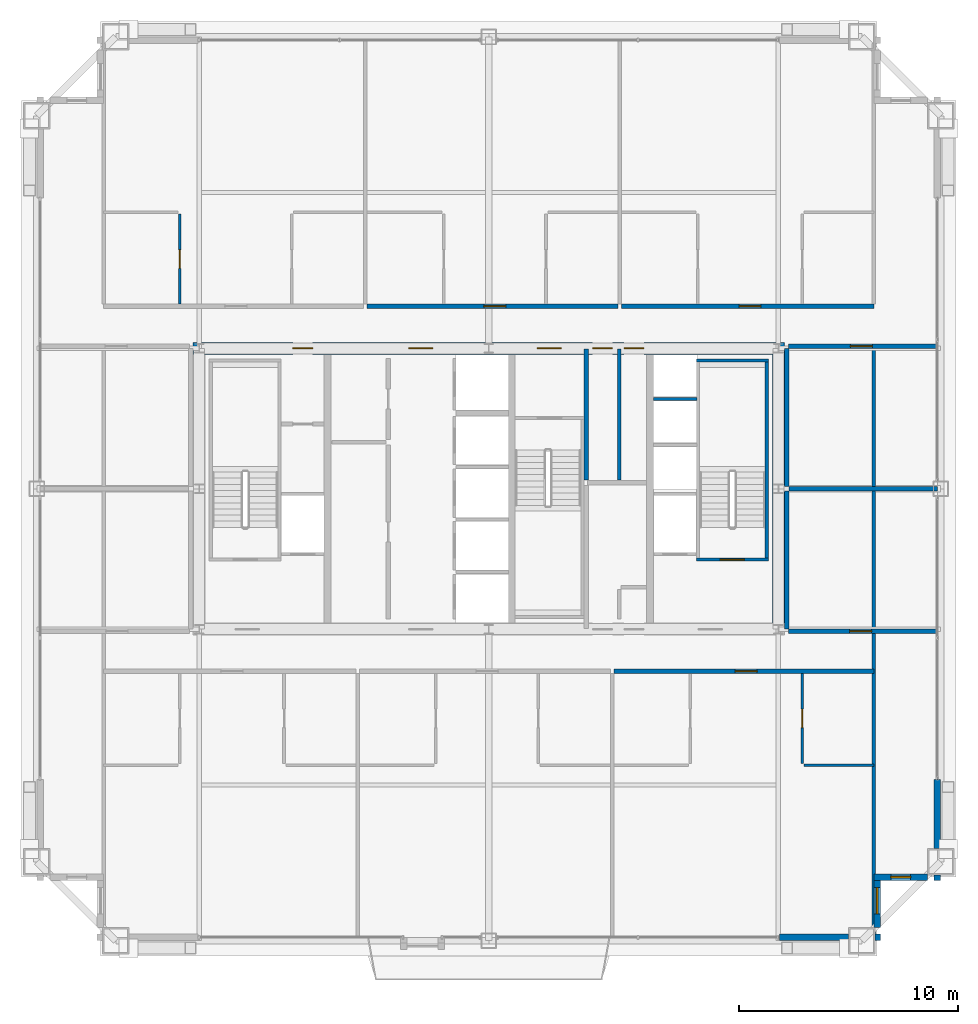
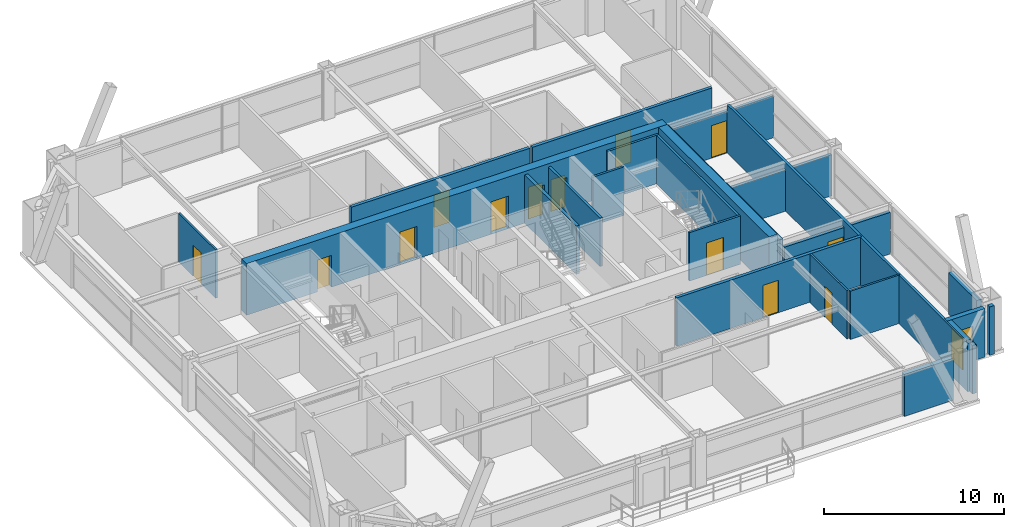
# One storey, part 32 of 34: 26 walls, 13 doors, 2 windows, 15 openings.
"""IFC4 building model written with IfcOpenShell, lengths in metres."""

from ifc_helpers import new_model, si_unit, direction, frame, frame_2d, origin, place, context, subcontext, project, spatial, rectangle, extrude, source, transform, mapped, material, layer, layer_set, type_object, element, fill, save


model = new_model("IFC4")

# Units and contexts
model_context = context("Model", 3, precision=1e-05, world=origin(), true_north=direction((0.0, 1.0)))
body_context = subcontext(model_context, "Body", "Model", "MODEL_VIEW")
ifc_project = project(units=[si_unit("LENGTHUNIT", "METRE"), si_unit("AREAUNIT", "SQUARE_METRE"), si_unit("VOLUMEUNIT", "CUBIC_METRE"), si_unit("PLANEANGLEUNIT", "RADIAN"), si_unit("MASSUNIT", "GRAM", prefix="KILO"), si_unit("THERMODYNAMICTEMPERATUREUNIT", "KELVIN"), si_unit("POWERUNIT", "WATT")], contexts=[model_context])

# Site, building, storey
site_placement = place(None, origin())
site = spatial("IfcSite", under=ifc_project, at=site_placement, CompositionType="ELEMENT")
building_placement = place(site_placement, origin())
building = spatial("IfcBuilding", under=site, at=building_placement, Name="Yuzanri Waterfront Tower", CompositionType="ELEMENT")
storey_placement = place(building_placement, frame((0.0, 0.0, 241.60009765625)))
storey = spatial("IfcBuildingStorey", under=building, at=storey_placement, Name="L64", CompositionType="ELEMENT", Elevation=241.60009765625)

# Wall, opening, door
ifc_material_1 = material(Name="Moisture-Resistant Gypsum Stud Wall", Category="gypsum")
ifc_layer_1 = layer(ifc_material_1, 0.1201171875)
ifc_layer_set_1 = layer_set([ifc_layer_1], Name="Moisture-Resistant Gypsum Stud Wall")
wall_type_1 = type_object("IfcWallType", Name="Bathroom and Kitchen Wet Partition 120", PredefinedType="PARTITIONING", material=ifc_layer_set_1)
wall_1_placement = place(storey_placement, frame((51.280029296875, 13.280029296875, 0.0), z_axis=(0.0, 0.0, 1.0), x_axis=(0.0, 1.0, 0.0)))
wall_1 = element("IfcWall", 1, at=wall_1_placement, inside=storey, type_object=wall_type_1, Name="L64 Partition UW-L64-RS3-SUB-2-W", PredefinedType="PARTITIONING", context=body_context, shape_type="SweptSolid", body=[
    extrude(rectangle(XDim=4.10986328125, YDim=0.1201171875, at=frame_2d((2.054931640625, 0.0))), origin(), (0.0, 0.0, 1.0), 3.27978515625),
])
opening_1_placement = place(wall_1_placement, frame((1.6298828125, 0.0, 0.0)))
opening_1 = element("IfcOpeningElement", 2, at=opening_1_placement, cuts=wall_1, Name="Opening ID-0850", PredefinedType="OPENING", context=body_context, shape_type="SweptSolid", body=[
    extrude(rectangle(XDim=0.85009765625, YDim=2.10009765625, at=frame_2d((0.425048828125, 1.050048828125))), frame((0.0, 0.074951171875, 0.0), z_axis=(0.0, -1.0, 0.0), x_axis=(1.0, 0.0, 0.0)), (0.0, 0.0, 1.0), 0.14990234375),
])
ifc_material_2 = material(Name="Moisture-Resistant Lacquered Timber", Category="wood")
door_type_1 = type_object("IfcDoorType", Name="En-Suite Bathroom and Kitchen Swing Door 850x2100", OperationType="NOTDEFINED", PredefinedType="DOOR", material=ifc_material_2)
shared_shape_1 = source(origin(), body_context, "Body", "SweptSolid", [
    extrude(rectangle(XDim=0.85009765625, YDim=2.10009765625, at=frame_2d((0.425048828125, 1.050048828125))), frame((0.0, 0.02490234375, 0.0), z_axis=(0.0, -1.0, 0.0), x_axis=(1.0, 0.0, 0.0)), (0.0, 0.0, 1.0), 0.050048828125),
])
door_1_placement = place(opening_1_placement, origin())
door_1 = element("IfcDoor", 3, at=door_1_placement, inside=storey, type_object=door_type_1, Name="L64 Suite Interior Room Door", OperationType="SINGLE_SWING_RIGHT", OverallHeight=2.10009765625, OverallWidth=0.85009765625, PredefinedType="DOOR", context=body_context, shape_type="MappedRepresentation", body=[
    mapped(shared_shape_1, transform((0.0, 0.0, 0.0), scale=1.0)),
])
fill(opening_1, door_1)

wall_2_placement = place(storey_placement, frame((22.919921875, 34.2099609375, 0.0), z_axis=(0.0, 0.0, 1.0), x_axis=(0.0, 1.0, 0.0)))
wall_2 = element("IfcWall", 4, at=wall_2_placement, inside=storey, type_object=wall_type_1, Name="L64 Partition UW-L64-RN1-SUB-1-E", PredefinedType="PARTITIONING", context=body_context, shape_type="SweptSolid", body=[
    extrude(rectangle(XDim=4.110107421875, YDim=0.1201171875, at=frame_2d((2.05517578125, 0.0))), origin(), (0.0, 0.0, 1.0), 3.27978515625),
])
opening_2_placement = place(wall_2_placement, frame((1.6298828125, 0.0, 0.0)))
opening_2 = element("IfcOpeningElement", 5, at=opening_2_placement, cuts=wall_2, Name="Opening ID-0850", PredefinedType="OPENING", context=body_context, shape_type="SweptSolid", body=[
    extrude(rectangle(XDim=0.85009765625, YDim=2.10009765625, at=frame_2d((0.425048828125, 1.050048828125))), frame((0.0, 0.074951171875, 0.0), z_axis=(0.0, -1.0, 0.0), x_axis=(1.0, 0.0, 0.0)), (0.0, 0.0, 1.0), 0.14990234375),
])
door_2_placement = place(opening_2_placement, origin())
door_2 = element("IfcDoor", 6, at=door_2_placement, inside=storey, type_object=door_type_1, Name="L64 Suite Interior Room Door", OperationType="SINGLE_SWING_RIGHT", OverallHeight=2.10009765625, OverallWidth=0.85009765625, PredefinedType="DOOR", context=body_context, shape_type="MappedRepresentation", body=[
    mapped(shared_shape_1, transform((0.0, 0.0, 0.0), scale=1.0)),
])
fill(opening_2, door_2)

# Wall, opening, window
ifc_material_3 = material(Name="Honed Chongqing Dark Basalt Stone", Category="masonry")
ifc_layer_2 = layer(ifc_material_3, 0.300048828125)
ifc_layer_set_2 = layer_set([ifc_layer_2], Name="Honed Chongqing Dark Basalt Stone")
wall_type_2 = type_object("IfcWallType", Name="Bronze Rainscreen Insulated Spandrel Portal Wall 300", PredefinedType="SOLIDWALL", material=ifc_layer_set_2)
wall_3_placement = place(storey_placement, frame((54.550048828125, 8.10009765625, 0.0), z_axis=(0.0, 0.0, 1.0), x_axis=(1.0, 0.0, 0.0)))
wall_3 = element("IfcWall", 7, at=wall_3_placement, inside=storey, type_object=wall_type_2, Name="L64 Notched Corner Masonry Wall SE-X", PredefinedType="SOLIDWALL", context=body_context, shape_type="SweptSolid", body=[
    extrude(rectangle(XDim=2.449951171875, YDim=0.300048828125, at=frame_2d((1.22509765625, 0.0))), origin(), (0.0, 0.0, 1.0), 3.27978515625),
])
opening_3_placement = place(wall_3_placement, frame((0.77490234375, 0.0, 0.85009765625)))
opening_3 = element("IfcOpeningElement", 8, at=opening_3_placement, cuts=wall_3, Name="Opening WN-05", PredefinedType="OPENING", context=body_context, shape_type="SweptSolid", body=[
    extrude(rectangle(XDim=0.89990234375, YDim=1.5, at=frame_2d((0.449951171875, 0.75))), frame((0.0, 0.1650390625, 0.0), z_axis=(0.0, -1.0, 0.0), x_axis=(1.0, 0.0, 0.0)), (0.0, 0.0, 1.0), 0.329833984375),
])
ifc_material_4 = material(Name="Double-Silver Low-E Insulated Glass", Category="glass")
window_type_1 = type_object("IfcWindowType", Name="Anodized Bronze Service and Stairwell Smoke-Vent Window 900x1500", PartitioningType="SINGLE_PANEL", PredefinedType="WINDOW", material=ifc_material_4)
shared_shape_2 = source(origin(), body_context, "Body", "SweptSolid", [
    extrude(rectangle(XDim=0.89990234375, YDim=1.5, at=frame_2d((0.449951171875, 0.75))), frame((0.0, 0.030029296875, 0.0), z_axis=(0.0, -1.0, 0.0), x_axis=(1.0, 0.0, 0.0)), (0.0, 0.0, 1.0), 0.06005859375),
])
window_1_placement = place(opening_3_placement, origin())
window_1 = element("IfcWindow", 9, at=window_1_placement, inside=storey, type_object=window_type_1, Name="L64 Notched Corner Window SE-X", OverallHeight=1.5, OverallWidth=0.89990234375, PartitioningType="SINGLE_PANEL", PredefinedType="WINDOW", context=body_context, shape_type="MappedRepresentation", body=[
    mapped(shared_shape_2, transform((0.0, 0.0, 0.0), scale=1.0)),
])
fill(opening_3, window_1)

wall_4_placement = place(storey_placement, frame((54.699951171875, 5.800048828125, 0.0), z_axis=(0.0, 0.0, 1.0), x_axis=(0.0, 1.0, 0.0)))
wall_4 = element("IfcWall", 10, at=wall_4_placement, inside=storey, type_object=wall_type_2, Name="L64 Notched Corner Masonry Wall SE-Y", PredefinedType="SOLIDWALL", context=body_context, shape_type="SweptSolid", body=[
    extrude(rectangle(XDim=2.449951171875, YDim=0.300048828125, at=frame_2d((1.22509765625, 0.0))), origin(), (0.0, 0.0, 1.0), 3.27978515625),
])
opening_4_placement = place(wall_4_placement, frame((0.625, 0.0, 0.85009765625)))
opening_4 = element("IfcOpeningElement", 11, at=opening_4_placement, cuts=wall_4, Name="Opening WN-02", PredefinedType="OPENING", context=body_context, shape_type="SweptSolid", body=[
    extrude(rectangle(XDim=1.199951171875, YDim=2.10009765625, at=frame_2d((0.60009765625, 1.050048828125))), frame((0.0, 0.1650390625, 0.0), z_axis=(0.0, -1.0, 0.0), x_axis=(1.0, 0.0, 0.0)), (0.0, 0.0, 1.0), 0.329833984375),
])
ifc_material_5 = material(Name="Double-Silver Low-E Insulated Glass", Category="glass")
window_type_2 = type_object("IfcWindowType", Name="Anodized Bronze Notched Corner Deep-Set Slot Window 1200x2100", PartitioningType="SINGLE_PANEL", PredefinedType="WINDOW", material=ifc_material_5)
shared_shape_3 = source(origin(), body_context, "Body", "SweptSolid", [
    extrude(rectangle(XDim=1.199951171875, YDim=2.10009765625, at=frame_2d((0.60009765625, 1.050048828125))), frame((0.0, 0.030029296875, 0.0), z_axis=(0.0, -1.0, 0.0), x_axis=(1.0, 0.0, 0.0)), (0.0, 0.0, 1.0), 0.06005859375),
])
window_2_placement = place(opening_4_placement, origin())
window_2 = element("IfcWindow", 12, at=window_2_placement, inside=storey, type_object=window_type_2, Name="L64 Notched Corner Window SE-Y", OverallHeight=2.10009765625, OverallWidth=1.199951171875, PartitioningType="SINGLE_PANEL", PredefinedType="WINDOW", context=body_context, shape_type="MappedRepresentation", body=[
    mapped(shared_shape_3, transform((0.0, 0.0, 0.0), scale=1.0)),
])
fill(opening_4, window_2)

# Wall, openings, doors
ifc_material_6 = material(Name="Concrete C50", Category="concrete")
ifc_layer_3 = layer(ifc_material_6, 0.550048828125)
ifc_layer_set_3 = layer_set([ifc_layer_3], Name="Concrete C50")
wall_type_3 = type_object("IfcWallType", Name="Concrete C50 Upper-Mid Zone Core Shear Wall 550", PredefinedType="SHEAR", material=ifc_layer_set_3)
wall_5_placement = place(storey_placement, frame((23.52490234375, 32.199951171875, 0.0), z_axis=(0.0, 0.0, 1.0), x_axis=(1.0, 0.0, 0.0)))
wall_5 = element("IfcWall", 13, at=wall_5_placement, inside=storey, type_object=wall_type_3, Name="L64 Core North Shear Wall", PredefinedType="SHEAR", context=body_context, shape_type="SweptSolid", body=[
    extrude(rectangle(XDim=26.9501953125, YDim=0.550048828125, at=frame_2d((13.47509765625, 0.0))), origin(), (0.0, 0.0, 1.0), 3.5),
])
opening_5_placement = place(wall_5_placement, frame((4.544921875, 0.0, 0.0)))
opening_5 = element("IfcOpeningElement", 14, at=opening_5_placement, cuts=wall_5, Name="Opening FD-0900", PredefinedType="OPENING", context=body_context, shape_type="SweptSolid", body=[
    extrude(rectangle(XDim=0.89990234375, YDim=2.14990234375, at=frame_2d((0.449951171875, 1.074951171875))), frame((0.0, 0.2900390625, 0.0), z_axis=(0.0, -1.0, 0.0), x_axis=(1.0, 0.0, 0.0)), (0.0, 0.0, 1.0), 0.579833984375),
])
opening_6_placement = place(wall_5_placement, frame((9.824951171875, 0.0, 0.0)))
opening_6 = element("IfcOpeningElement", 15, at=opening_6_placement, cuts=wall_5, Name="Opening FD-1100", PredefinedType="OPENING", context=body_context, shape_type="SweptSolid", body=[
    extrude(rectangle(XDim=1.10009765625, YDim=2.199951171875, at=frame_2d((0.550048828125, 1.10009765625))), frame((0.0, 0.2900390625, 0.0), z_axis=(0.0, -1.0, 0.0), x_axis=(1.0, 0.0, 0.0)), (0.0, 0.0, 1.0), 0.579833984375),
])
opening_7_placement = place(wall_5_placement, frame((15.675048828125, 0.0, 0.0)))
opening_7 = element("IfcOpeningElement", 16, at=opening_7_placement, cuts=wall_5, Name="Opening FD-1100", PredefinedType="OPENING", context=body_context, shape_type="SweptSolid", body=[
    extrude(rectangle(XDim=1.10009765625, YDim=2.199951171875, at=frame_2d((0.550048828125, 1.10009765625))), frame((0.0, 0.2900390625, 0.0), z_axis=(0.0, -1.0, 0.0), x_axis=(1.0, 0.0, 0.0)), (0.0, 0.0, 1.0), 0.579833984375),
])
opening_8_placement = place(wall_5_placement, frame((18.205078125, 0.0, 0.0)))
opening_8 = element("IfcOpeningElement", 17, at=opening_8_placement, cuts=wall_5, Name="Opening FD-0900", PredefinedType="OPENING", context=body_context, shape_type="SweptSolid", body=[
    extrude(rectangle(XDim=0.89990234375, YDim=2.14990234375, at=frame_2d((0.449951171875, 1.074951171875))), frame((0.0, 0.2900390625, 0.0), z_axis=(0.0, -1.0, 0.0), x_axis=(1.0, 0.0, 0.0)), (0.0, 0.0, 1.0), 0.579833984375),
])
opening_9_placement = place(wall_5_placement, frame((19.64501953125, 0.0, 0.0)))
opening_9 = element("IfcOpeningElement", 18, at=opening_9_placement, cuts=wall_5, Name="Opening FD-0900", PredefinedType="OPENING", context=body_context, shape_type="SweptSolid", body=[
    extrude(rectangle(XDim=0.89990234375, YDim=2.14990234375, at=frame_2d((0.449951171875, 1.074951171875))), frame((0.0, 0.2900390625, 0.0), z_axis=(0.0, -1.0, 0.0), x_axis=(1.0, 0.0, 0.0)), (0.0, 0.0, 1.0), 0.579833984375),
])
ifc_material_7 = material(Name="Painted Galvanized Fire Steel", Category="steel")
door_type_2 = type_object("IfcDoorType", Name="Smoke-Proof Stair and Lobby Fire Door 1100x2200", OperationType="NOTDEFINED", PredefinedType="DOOR", material=ifc_material_7)
shared_shape_4 = source(origin(), body_context, "Body", "SweptSolid", [
    extrude(rectangle(XDim=1.10009765625, YDim=2.199951171875, at=frame_2d((0.550048828125, 1.10009765625))), frame((0.0, 0.02490234375, 0.0), z_axis=(0.0, -1.0, 0.0), x_axis=(1.0, 0.0, 0.0)), (0.0, 0.0, 1.0), 0.050048828125),
])
door_3_placement = place(opening_6_placement, origin())
door_3 = element("IfcDoor", 19, at=door_3_placement, inside=storey, type_object=door_type_2, Name="L64 Central Lift Lobby North Door", OperationType="SINGLE_SWING_LEFT", OverallHeight=2.199951171875, OverallWidth=1.10009765625, PredefinedType="DOOR", context=body_context, shape_type="MappedRepresentation", body=[
    mapped(shared_shape_4, transform((0.0, 0.0, 0.0), scale=1.0)),
])
fill(opening_6, door_3)
door_4_placement = place(opening_7_placement, origin())
door_4 = element("IfcDoor", 20, at=door_4_placement, inside=storey, type_object=door_type_2, Name="L64 North Stair Lobby Door", OperationType="SINGLE_SWING_RIGHT", OverallHeight=2.199951171875, OverallWidth=1.10009765625, PredefinedType="DOOR", context=body_context, shape_type="MappedRepresentation", body=[
    mapped(shared_shape_4, transform((0.0, 0.0, 0.0), scale=1.0)),
])
fill(opening_7, door_4)
ifc_material_8 = material(Name="Painted Galvanized Fire Steel", Category="steel")
door_type_3 = type_object("IfcDoorType", Name="Riser and Service Room Fire Door 900x2150", OperationType="NOTDEFINED", PredefinedType="DOOR", material=ifc_material_8)
shared_shape_5 = source(origin(), body_context, "Body", "SweptSolid", [
    extrude(rectangle(XDim=0.89990234375, YDim=2.14990234375, at=frame_2d((0.449951171875, 1.074951171875))), frame((0.0, 0.02490234375, 0.0), z_axis=(0.0, -1.0, 0.0), x_axis=(1.0, 0.0, 0.0)), (0.0, 0.0, 1.0), 0.050048828125),
])
door_5_placement = place(opening_5_placement, origin())
door_5 = element("IfcDoor", 21, at=door_5_placement, inside=storey, type_object=door_type_3, Name="L64 Telecom Riser Door", OperationType="SINGLE_SWING_RIGHT", OverallHeight=2.14990234375, OverallWidth=0.89990234375, PredefinedType="DOOR", context=body_context, shape_type="MappedRepresentation", body=[
    mapped(shared_shape_5, transform((0.0, 0.0, 0.0), scale=1.0)),
])
fill(opening_5, door_5)
door_6_placement = place(opening_8_placement, origin())
door_6 = element("IfcDoor", 22, at=door_6_placement, inside=storey, type_object=door_type_3, Name="L64 Common Store Room", OperationType="SINGLE_SWING_RIGHT", OverallHeight=2.14990234375, OverallWidth=0.89990234375, PredefinedType="DOOR", context=body_context, shape_type="MappedRepresentation", body=[
    mapped(shared_shape_5, transform((0.0, 0.0, 0.0), scale=1.0)),
])
fill(opening_8, door_6)
door_7_placement = place(opening_9_placement, origin())
door_7 = element("IfcDoor", 23, at=door_7_placement, inside=storey, type_object=door_type_3, Name="L64 Linen Store Room", OperationType="SINGLE_SWING_LEFT", OverallHeight=2.14990234375, OverallWidth=0.89990234375, PredefinedType="DOOR", context=body_context, shape_type="MappedRepresentation", body=[
    mapped(shared_shape_5, transform((0.0, 0.0, 0.0), scale=1.0)),
])
fill(opening_9, door_7)

# Wall, opening, door
ifc_material_9 = material(Name="Concrete C40", Category="concrete")
ifc_layer_4 = layer(ifc_material_9, 0.139892578125)
ifc_layer_set_4 = layer_set([ifc_layer_4], Name="Concrete C40")
wall_type_4 = type_object("IfcWallType", Name="Core Stair Liner and Hoistway Shaft Wall 140", PredefinedType="SOLIDWALL", material=ifc_layer_set_4)
wall_6_placement = place(storey_placement, frame((46.4599609375, 22.570068359375, 0.0), z_axis=(0.0, 0.0, 1.0), x_axis=(1.0, 0.0, 0.0)))
wall_6 = element("IfcWall", 24, at=wall_6_placement, inside=storey, type_object=wall_type_4, Name="L64 Shaft Wall STW-L64-ST-02-S", PredefinedType="SOLIDWALL", context=body_context, shape_type="SweptSolid", body=[
    extrude(rectangle(XDim=3.280029296875, YDim=0.139892578125, at=frame_2d((1.64013671875, 0.0))), origin(), (0.0, 0.0, 1.0), 3.27978515625),
])
opening_10_placement = place(wall_6_placement, frame((1.090087890625, 0.0, 0.0)))
opening_10 = element("IfcOpeningElement", 25, at=opening_10_placement, cuts=wall_6, Name="Opening FD-1100", PredefinedType="OPENING", context=body_context, shape_type="SweptSolid", body=[
    extrude(rectangle(XDim=1.10009765625, YDim=2.199951171875, at=frame_2d((0.550048828125, 1.10009765625))), frame((0.0, 0.0849609375, 0.0), z_axis=(0.0, -1.0, 0.0), x_axis=(1.0, 0.0, 0.0)), (0.0, 0.0, 1.0), 0.169677734375),
])
door_8_placement = place(opening_10_placement, origin())
door_8 = element("IfcDoor", 26, at=door_8_placement, inside=storey, type_object=door_type_2, Name="L64 Stair ST-02 Fire Door", OperationType="SINGLE_SWING_LEFT", OverallHeight=2.199951171875, OverallWidth=1.10009765625, PredefinedType="DOOR", context=body_context, shape_type="MappedRepresentation", body=[
    mapped(shared_shape_4, transform((0.0, 0.0, 0.0), scale=1.0)),
])
fill(opening_10, door_8)

ifc_material_10 = material(Name="Autoclaved Aerated Concrete Blockwork", Category="masonry")
ifc_layer_5 = layer(ifc_material_10, 0.199951171875)
ifc_layer_set_5 = layer_set([ifc_layer_5], Name="Autoclaved Aerated Concrete Blockwork")
wall_type_5 = type_object("IfcWallType", Name="Corridor and Unit Party Fire Wall 200", PredefinedType="PARTITIONING", material=ifc_layer_set_5)
wall_7_placement = place(storey_placement, frame((42.698974609375, 17.489990234375, 0.0), z_axis=(0.0, 0.0, 1.0), x_axis=(1.0, 0.0, 0.0)))
wall_7 = element("IfcWall", 27, at=wall_7_placement, inside=storey, type_object=wall_type_5, Name="L64 Partition UW-L64-RS3-CN", PredefinedType="PARTITIONING", context=body_context, shape_type="SweptSolid", body=[
    extrude(rectangle(XDim=11.861083984375, YDim=0.199951171875, at=frame_2d((5.9306640625, 0.0))), origin(), (0.0, 0.0, 1.0), 3.27978515625),
])
opening_11_placement = place(wall_7_placement, frame((5.531005859375, 0.0, 0.0)))
opening_11 = element("IfcOpeningElement", 28, at=opening_11_placement, cuts=wall_7, Name="Opening FD-1000", PredefinedType="OPENING", context=body_context, shape_type="SweptSolid", body=[
    extrude(rectangle(XDim=1.0, YDim=2.199951171875, at=frame_2d((0.5, 1.10009765625))), frame((0.0, 0.11474609375, 0.0), z_axis=(0.0, -1.0, 0.0), x_axis=(1.0, 0.0, 0.0)), (0.0, 0.0, 1.0), 0.229736328125),
])
ifc_material_11 = material(Name="Engineered Oak Fire-Rated Timber", Category="wood")
door_type_4 = type_object("IfcDoorType", Name="Guestroom and Apartment Entrance Fire Door 1000x2200", OperationType="NOTDEFINED", PredefinedType="DOOR", material=ifc_material_11)
shared_shape_6 = source(origin(), body_context, "Body", "SweptSolid", [
    extrude(rectangle(XDim=1.0, YDim=2.199951171875, at=frame_2d((0.5, 1.10009765625))), frame((0.0, 0.02490234375, 0.0), z_axis=(0.0, -1.0, 0.0), x_axis=(1.0, 0.0, 0.0)), (0.0, 0.0, 1.0), 0.050048828125),
])
door_9_placement = place(opening_11_placement, origin())
door_9 = element("IfcDoor", 29, at=door_9_placement, inside=storey, type_object=door_type_4, Name="L64 Studio Living and Sleeping Room Entrance Door", OperationType="SINGLE_SWING_RIGHT", OverallHeight=2.199951171875, OverallWidth=1.0, PredefinedType="DOOR", context=body_context, shape_type="MappedRepresentation", body=[
    mapped(shared_shape_6, transform((0.0, 0.0, 0.0), scale=1.0)),
])
fill(opening_11, door_9)

wall_8_placement = place(storey_placement, frame((31.4609375, 34.110107421875, 0.0), z_axis=(0.0, 0.0, 1.0), x_axis=(1.0, 0.0, 0.0)))
wall_8 = element("IfcWall", 30, at=wall_8_placement, inside=storey, type_object=wall_type_5, Name="L64 Partition UW-L64-RN2-CS", PredefinedType="PARTITIONING", context=body_context, shape_type="SweptSolid", body=[
    extrude(rectangle(XDim=11.428955078125, YDim=0.199951171875, at=frame_2d((5.71435546875, 0.0))), origin(), (0.0, 0.0, 1.0), 3.27978515625),
])
opening_12_placement = place(wall_8_placement, frame((5.31396484375, 0.0, 0.0)))
opening_12 = element("IfcOpeningElement", 31, at=opening_12_placement, cuts=wall_8, Name="Opening FD-1000", PredefinedType="OPENING", context=body_context, shape_type="SweptSolid", body=[
    extrude(rectangle(XDim=1.0, YDim=2.199951171875, at=frame_2d((0.5, 1.10009765625))), frame((0.0, 0.11474609375, 0.0), z_axis=(0.0, -1.0, 0.0), x_axis=(1.0, 0.0, 0.0)), (0.0, 0.0, 1.0), 0.229736328125),
])
door_10_placement = place(opening_12_placement, origin())
door_10 = element("IfcDoor", 32, at=door_10_placement, inside=storey, type_object=door_type_4, Name="L64 Studio Living and Sleeping Room Entrance Door", OperationType="SINGLE_SWING_RIGHT", OverallHeight=2.199951171875, OverallWidth=1.0, PredefinedType="DOOR", context=body_context, shape_type="MappedRepresentation", body=[
    mapped(shared_shape_6, transform((0.0, 0.0, 0.0), scale=1.0)),
])
fill(opening_12, door_10)

wall_9_placement = place(storey_placement, frame((43.050048828125, 34.110107421875, 0.0), z_axis=(0.0, 0.0, 1.0), x_axis=(1.0, 0.0, 0.0)))
wall_9 = element("IfcWall", 33, at=wall_9_placement, inside=storey, type_object=wall_type_5, Name="L64 Partition UW-L64-RN3-CS", PredefinedType="PARTITIONING", context=body_context, shape_type="SweptSolid", body=[
    extrude(rectangle(XDim=11.510009765625, YDim=0.199951171875, at=frame_2d((5.7548828125, 0.0))), origin(), (0.0, 0.0, 1.0), 3.27978515625),
])
opening_13_placement = place(wall_9_placement, frame((5.35498046875, 0.0, 0.0)))
opening_13 = element("IfcOpeningElement", 34, at=opening_13_placement, cuts=wall_9, Name="Opening FD-1000", PredefinedType="OPENING", context=body_context, shape_type="SweptSolid", body=[
    extrude(rectangle(XDim=1.0, YDim=2.199951171875, at=frame_2d((0.5, 1.10009765625))), frame((0.0, 0.11474609375, 0.0), z_axis=(0.0, -1.0, 0.0), x_axis=(1.0, 0.0, 0.0)), (0.0, 0.0, 1.0), 0.229736328125),
])
door_11_placement = place(opening_13_placement, origin())
door_11 = element("IfcDoor", 35, at=door_11_placement, inside=storey, type_object=door_type_4, Name="L64 Studio Living and Sleeping Room Entrance Door", OperationType="SINGLE_SWING_LEFT", OverallHeight=2.199951171875, OverallWidth=1.0, PredefinedType="DOOR", context=body_context, shape_type="MappedRepresentation", body=[
    mapped(shared_shape_6, transform((0.0, 0.0, 0.0), scale=1.0)),
])
fill(opening_13, door_11)

wall_10_placement = place(storey_placement, frame((50.64990234375, 19.31005859375, 0.0), z_axis=(0.0, 0.0, 1.0), x_axis=(1.0, 0.0, 0.0)))
wall_10 = element("IfcWall", 36, at=wall_10_placement, inside=storey, type_object=wall_type_5, Name="L64 Partition UW-L64-038-CS", PredefinedType="PARTITIONING", context=body_context, shape_type="SweptSolid", body=[
    extrude(rectangle(XDim=6.800048828125, YDim=0.199951171875, at=frame_2d((3.39990234375, 0.0))), origin(), (0.0, 0.0, 1.0), 2.824951171875),
])
opening_14_placement = place(wall_10_placement, frame((2.800048828125, 0.0, 0.0)))
opening_14 = element("IfcOpeningElement", 37, at=opening_14_placement, cuts=wall_10, Name="Opening FD-1000", PredefinedType="OPENING", context=body_context, shape_type="SweptSolid", body=[
    extrude(rectangle(XDim=1.0, YDim=2.199951171875, at=frame_2d((0.5, 1.10009765625))), frame((0.0, 0.11474609375, 0.0), z_axis=(0.0, -1.0, 0.0), x_axis=(1.0, 0.0, 0.0)), (0.0, 0.0, 1.0), 0.229736328125),
])
door_12_placement = place(opening_14_placement, origin())
door_12 = element("IfcDoor", 38, at=door_12_placement, inside=storey, type_object=door_type_4, Name="L64 Residents E Fitness Gymnasium Entrance Door", OperationType="SINGLE_SWING_RIGHT", OverallHeight=2.199951171875, OverallWidth=1.0, PredefinedType="DOOR", context=body_context, shape_type="MappedRepresentation", body=[
    mapped(shared_shape_6, transform((0.0, 0.0, 0.0), scale=1.0)),
])
fill(opening_14, door_12)

wall_11_placement = place(storey_placement, frame((50.64990234375, 32.2900390625, 0.0), z_axis=(0.0, 0.0, 1.0), x_axis=(1.0, 0.0, 0.0)))
wall_11 = element("IfcWall", 39, at=wall_11_placement, inside=storey, type_object=wall_type_5, Name="L64 Partition UW-L64-039-CN", PredefinedType="PARTITIONING", context=body_context, shape_type="SweptSolid", body=[
    extrude(rectangle(XDim=6.800048828125, YDim=0.199951171875, at=frame_2d((3.39990234375, 0.0))), origin(), (0.0, 0.0, 1.0), 2.824951171875),
])
opening_15_placement = place(wall_11_placement, frame((2.8349609375, 0.0, 0.0)))
opening_15 = element("IfcOpeningElement", 40, at=opening_15_placement, cuts=wall_11, Name="Opening FD-1000", PredefinedType="OPENING", context=body_context, shape_type="SweptSolid", body=[
    extrude(rectangle(XDim=1.0, YDim=2.199951171875, at=frame_2d((0.5, 1.10009765625))), frame((0.0, 0.11474609375, 0.0), z_axis=(0.0, -1.0, 0.0), x_axis=(1.0, 0.0, 0.0)), (0.0, 0.0, 1.0), 0.229736328125),
])
door_13_placement = place(opening_15_placement, origin())
door_13 = element("IfcDoor", 41, at=door_13_placement, inside=storey, type_object=door_type_4, Name="L64 Residents E Yoga Gym Studio Entrance Door", OperationType="SINGLE_SWING_LEFT", OverallHeight=2.199951171875, OverallWidth=1.0, PredefinedType="DOOR", context=body_context, shape_type="MappedRepresentation", body=[
    mapped(shared_shape_6, transform((0.0, 0.0, 0.0), scale=1.0)),
])
fill(opening_15, door_13)

# Walls
shared_shape_7 = source(origin(), body_context, "Body", "SweptSolid", [
    extrude(rectangle(XDim=12.25, YDim=0.550048828125, at=frame_2d((6.125, 0.0))), origin(), (0.0, 0.0, 1.0), 3.5),
])
wall_12_placement = place(storey_placement, frame((50.199951171875, 19.675048828125, 0.0), z_axis=(0.0, 0.0, 1.0), x_axis=(0.0, 1.0, 0.0)))
element("IfcWall", 42, at=wall_12_placement, inside=storey, type_object=wall_type_3, Name="L64 Core East Shear Wall", PredefinedType="SHEAR", context=body_context, shape_type="MappedRepresentation", body=[
    mapped(shared_shape_7, transform((0.0, 0.0, 0.0), scale=1.0)),
])
shared_shape_8 = source(origin(), body_context, "Body", "SweptSolid", [
    extrude(rectangle(XDim=0.25, YDim=0.300048828125, at=frame_2d((0.125, 0.0))), origin(), (0.0, 0.0, 1.0), 3.27978515625),
])
for number, where, z_axis, x_axis, name in (
    (43, (54.60009765625, 5.35009765625, 0.0), (0.0, 0.0, 1.0), (1.0, 0.0, 0.0), "L64 Corner Column Shoulder Return CSE"),
    (44, (57.449951171875, 7.949951171875, 0.0), (0.0, 0.0, 1.0), (0.0, 1.0, 0.0), "L64 Corner Column Shoulder Return CES"),
):
    element("IfcWall", number, at=place(storey_placement, frame(where, z_axis=z_axis, x_axis=x_axis)), inside=storey, type_object=wall_type_2, Name=name, PredefinedType="SOLIDWALL", context=body_context, shape_type="MappedRepresentation", body=[
        mapped(shared_shape_8, transform((0.0, 0.0, 0.0), scale=1.0)),
    ])
shared_shape_9 = source(origin(), body_context, "Body", "SweptSolid", [
    extrude(rectangle(XDim=3.14990234375, YDim=0.300048828125, at=frame_2d((1.574951171875, 0.0))), origin(), (0.0, 0.0, 1.0), 2.8349609375),
])
wall_13_placement = place(storey_placement, frame((50.25, 5.35009765625, 0.0), z_axis=(0.0, 0.0, 1.0), x_axis=(1.0, 0.0, 0.0)))
element("IfcWall", 45, at=wall_13_placement, inside=storey, type_object=wall_type_2, Name="L64 S Right Braced Masonry Shoulder", PredefinedType="SOLIDWALL", context=body_context, shape_type="MappedRepresentation", body=[
    mapped(shared_shape_9, transform((0.0, 0.0, 0.0), scale=1.0)),
])
shared_shape_10 = source(origin(), body_context, "Body", "SweptSolid", [
    extrude(rectangle(XDim=3.150146484375, YDim=0.300048828125, at=frame_2d((1.5751953125, 0.0))), origin(), (0.0, 0.0, 1.0), 2.8349609375),
])
wall_14_placement = place(storey_placement, frame((57.449951171875, 9.39990234375, 0.0), z_axis=(0.0, 0.0, 1.0), x_axis=(0.0, 1.0, 0.0)))
element("IfcWall", 46, at=wall_14_placement, inside=storey, type_object=wall_type_2, Name="L64 E Left Braced Masonry Shoulder", PredefinedType="SOLIDWALL", context=body_context, shape_type="MappedRepresentation", body=[
    mapped(shared_shape_10, transform((0.0, 0.0, 0.0), scale=1.0)),
])
shared_shape_11 = source(origin(), body_context, "Body", "SweptSolid", [
    extrude(rectangle(XDim=2.0, YDim=0.139892578125, at=frame_2d((1.0, 0.0))), origin(), (0.0, 0.0, 1.0), 3.27978515625),
])
wall_15_placement = place(storey_placement, frame((44.5, 29.89990234375, 0.0), z_axis=(0.0, 0.0, 1.0), x_axis=(1.0, 0.0, 0.0)))
element("IfcWall", 47, at=wall_15_placement, inside=storey, type_object=wall_type_4, Name="L64 Lift PL-10 Divider Wall", PredefinedType="SOLIDWALL", context=body_context, shape_type="MappedRepresentation", body=[
    mapped(shared_shape_11, transform((0.0, 0.0, 0.0), scale=1.0)),
])
shared_shape_12 = source(origin(), body_context, "Body", "SweptSolid", [
    extrude(rectangle(XDim=3.280029296875, YDim=0.139892578125, at=frame_2d((1.64013671875, 0.0))), origin(), (0.0, 0.0, 1.0), 3.27978515625),
])
wall_16_placement = place(storey_placement, frame((46.4599609375, 31.64990234375, 0.0), z_axis=(0.0, 0.0, 1.0), x_axis=(1.0, 0.0, 0.0)))
element("IfcWall", 48, at=wall_16_placement, inside=storey, type_object=wall_type_4, Name="L64 Stair ST-02 North Shaft Wall", PredefinedType="SOLIDWALL", context=body_context, shape_type="MappedRepresentation", body=[
    mapped(shared_shape_12, transform((0.0, 0.0, 0.0), scale=1.0)),
])
shared_shape_13 = source(origin(), body_context, "Body", "SweptSolid", [
    extrude(rectangle(XDim=8.940185546875, YDim=0.139892578125, at=frame_2d((4.47021484375, 0.0))), origin(), (0.0, 0.0, 1.0), 3.27978515625),
])
wall_17_placement = place(storey_placement, frame((49.669921875, 22.639892578125, 0.0), z_axis=(0.0, 0.0, 1.0), x_axis=(0.0, 1.0, 0.0)))
element("IfcWall", 49, at=wall_17_placement, inside=storey, type_object=wall_type_4, Name="L64 Stair ST-02 East Shaft Wall", PredefinedType="SOLIDWALL", context=body_context, shape_type="MappedRepresentation", body=[
    mapped(shared_shape_13, transform((0.0, 0.0, 0.0), scale=1.0)),
])
shared_shape_14 = source(origin(), body_context, "Body", "SweptSolid", [
    extrude(rectangle(XDim=3.199951171875, YDim=0.1201171875, at=frame_2d((1.60009765625, 0.0))), origin(), (0.0, 0.0, 1.0), 3.27978515625),
])
wall_18_placement = place(storey_placement, frame((51.360107421875, 13.199951171875, 0.0), z_axis=(0.0, 0.0, 1.0), x_axis=(1.0, 0.0, 0.0)))
element("IfcWall", 50, at=wall_18_placement, inside=storey, type_object=wall_type_1, Name="L64 Partition UW-L64-RS3-SUB-2-S", PredefinedType="PARTITIONING", context=body_context, shape_type="MappedRepresentation", body=[
    mapped(shared_shape_14, transform((0.0, 0.0, 0.0), scale=1.0)),
])
shared_shape_15 = source(origin(), body_context, "Body", "SweptSolid", [
    extrude(rectangle(XDim=6.764892578125, YDim=0.199951171875, at=frame_2d((3.38232421875, 0.0))), origin(), (0.0, 0.0, 1.0), 2.786865234375),
])
wall_19_placement = place(storey_placement, frame((50.68505859375, 25.800048828125, 0.0), z_axis=(0.0, 0.0, 1.0), x_axis=(1.0, 0.0, 0.0)))
element("IfcWall", 51, at=wall_19_placement, inside=storey, type_object=wall_type_5, Name="L64-038 Wing North Wall", PredefinedType="PARTITIONING", context=body_context, shape_type="MappedRepresentation", body=[
    mapped(shared_shape_15, transform((0.0, 0.0, 0.0), scale=1.0)),
])
shared_shape_16 = source(origin(), body_context, "Body", "SweptSolid", [
    extrude(rectangle(XDim=6.2900390625, YDim=0.199951171875, at=frame_2d((3.14501953125, 0.0))), origin(), (0.0, 0.0, 1.0), 3.27978515625),
])
for number, where, z_axis, x_axis, name in (
    (52, (50.580078125, 19.409912109375, 0.0), (0.0, 0.0, 1.0), (0.0, 1.0, 0.0), "L64-038 Wing Inner Core-Side Wall"),
    (53, (50.580078125, 25.89990234375, 0.0), (0.0, 0.0, 1.0), (0.0, 1.0, 0.0), "L64-039 Wing Inner Core-Side Wall"),
):
    element("IfcWall", number, at=place(storey_placement, frame(where, z_axis=z_axis, x_axis=x_axis)), inside=storey, type_object=wall_type_5, Name=name, PredefinedType="PARTITIONING", context=body_context, shape_type="MappedRepresentation", body=[
        mapped(shared_shape_16, transform((0.0, 0.0, 0.0), scale=1.0)),
    ])
ifc_material_12 = material(Name="Gypsum Fireboard Acoustic Stud Wall", Category="gypsum")
ifc_layer_6 = layer(ifc_material_12, 0.159912109375)
ifc_layer_set_6 = layer_set([ifc_layer_6], Name="Gypsum Fireboard Acoustic Stud Wall")
wall_type_6 = type_object("IfcWallType", Name="Acoustic Suite Demising Partition 160", PredefinedType="PARTITIONING", material=ifc_layer_set_6)
shared_shape_17 = source(origin(), body_context, "Body", "SweptSolid", [
    extrude(rectangle(XDim=26.68994140625, YDim=0.159912109375, at=frame_2d((13.344970703125, 0.0))), origin(), (0.0, 0.0, 1.0), 3.27978515625),
])
wall_20_placement = place(storey_placement, frame((54.550048828125, 5.5, 0.0), z_axis=(0.0, 0.0, 1.0), x_axis=(0.0, 1.0, 0.0)))
element("IfcWall", 54, at=wall_20_placement, inside=storey, type_object=wall_type_6, Name="L64 South Band East End Wall", PredefinedType="PARTITIONING", context=body_context, shape_type="MappedRepresentation", body=[
    mapped(shared_shape_17, transform((0.0, 0.0, 0.0), scale=1.0)),
])
shared_shape_18 = source(origin(), body_context, "Body", "SweptSolid", [
    extrude(rectangle(XDim=5.9599609375, YDim=0.199951171875, at=frame_2d((2.97998046875, 0.0))), origin(), (0.0, 0.0, 1.0), 3.27978515625),
])
wall_21_placement = place(storey_placement, frame((41.449951171875, 26.199951171875, 0.0), z_axis=(0.0, 0.0, 1.0), x_axis=(0.0, 1.0, 0.0)))
element("IfcWall", 55, at=wall_21_placement, inside=storey, type_object=wall_type_5, Name="L64 Core BOH West Wall 2", PredefinedType="PARTITIONING", context=body_context, shape_type="MappedRepresentation", body=[
    mapped(shared_shape_18, transform((0.0, 0.0, 0.0), scale=1.0)),
])
shared_shape_19 = source(origin(), body_context, "Body", "SweptSolid", [
    extrude(rectangle(XDim=5.9599609375, YDim=0.159912109375, at=frame_2d((2.97998046875, 0.0))), origin(), (0.0, 0.0, 1.0), 3.27978515625),
])
wall_22_placement = place(storey_placement, frame((42.949951171875, 26.199951171875, 0.0), z_axis=(0.0, 0.0, 1.0), x_axis=(0.0, 1.0, 0.0)))
element("IfcWall", 56, at=wall_22_placement, inside=storey, type_object=wall_type_6, Name="L64 Core BOH Mid Wall 3", PredefinedType="PARTITIONING", context=body_context, shape_type="MappedRepresentation", body=[
    mapped(shared_shape_19, transform((0.0, 0.0, 0.0), scale=1.0)),
])

save(model, "model.ifc")
